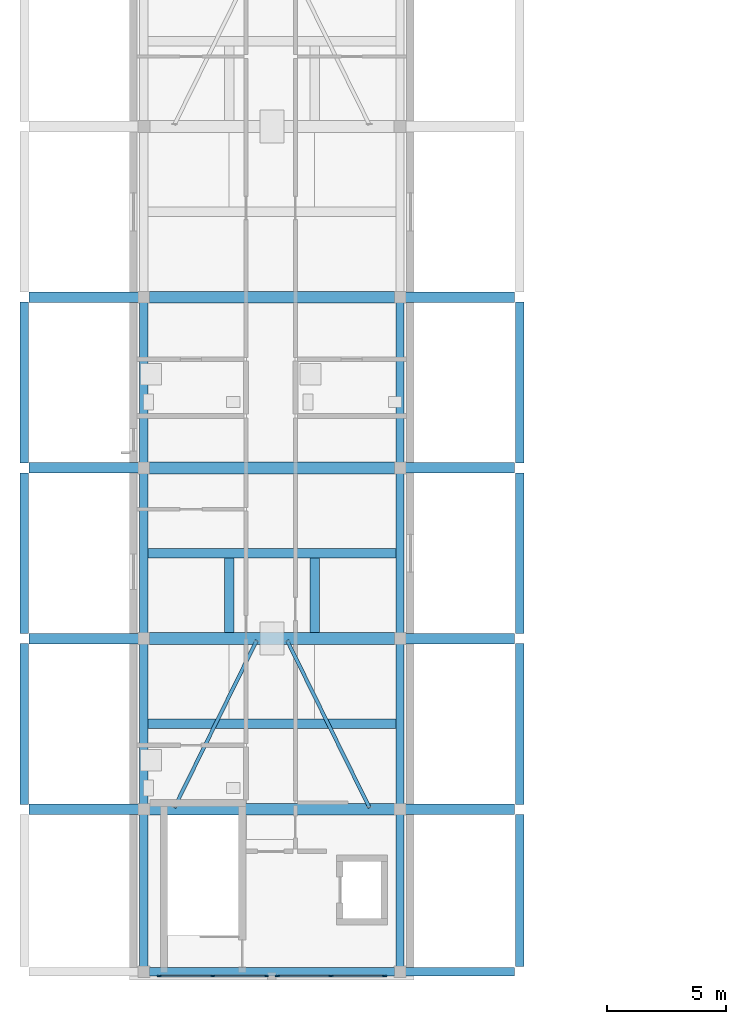
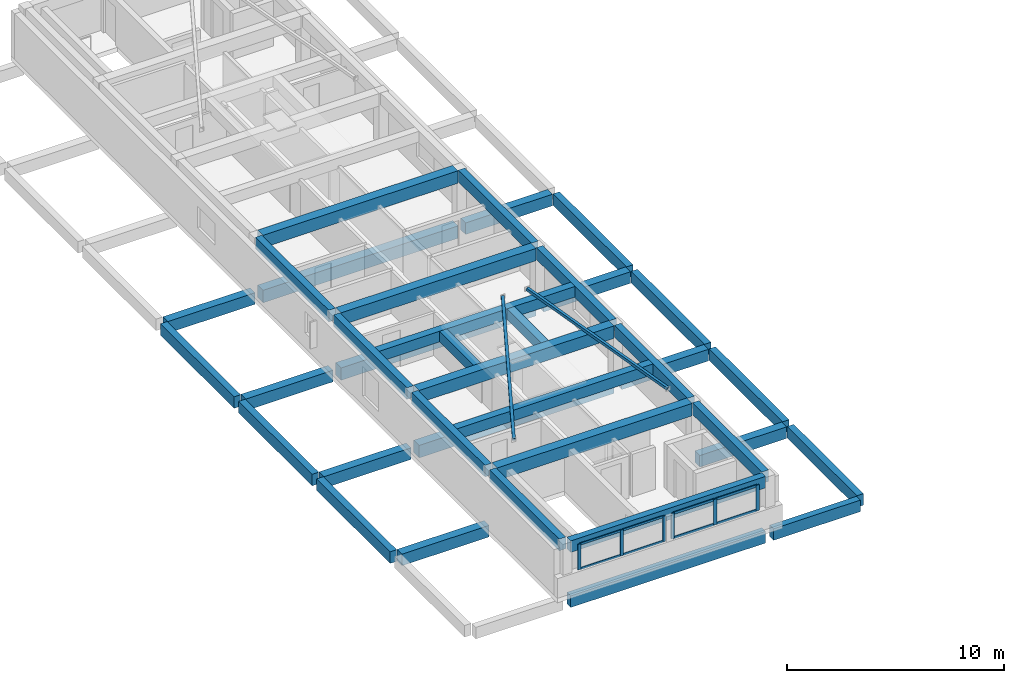
# One storey, part 2 of 9: 37 beams, 16 members, 2 elements without a shape of their own.
"""IFC4 building model written with IfcOpenShell, lengths in metres."""

import ifcopenshell
import ifcopenshell.guid

model = None  # the IFC model being written
_history = None  # IfcOwnerHistory: only IFC2X3 demands one
_inside = {}  # id of a spatial element -> (the spatial element, [elements in it])
_under = {}  # id of a project, library or spatial element -> (it, [spatial elements below it])
_declared = {}  # id of a project -> (the project, [libraries it declares])
_typed = {}  # id of a type object -> (the type object, [elements of that type])
_made_of = {}  # id of a material, layer set ... -> (it, [elements and type objects made of it])


def new_model(schema):
    """Start an empty IFC model of exactly this schema.

    Asked for "IFC4X3", IfcOpenShell would pick the latest addendum, in which some entities
    have other attributes; the version numbers below select the first issue.
    IFC2X3 requires an IfcOwnerHistory on every rooted entity: one is made here for all.
    """
    global model, _history
    if schema == "IFC4X3":
        model = ifcopenshell.file(schema_version=(4, 3, 0, 0))
    else:
        model = ifcopenshell.file(schema=schema)
    _inside.clear()
    _under.clear()
    _declared.clear()
    _typed.clear()
    _made_of.clear()
    _history = None
    if model.schema == "IFC2X3":
        org = make("IfcOrganization", Name="unknown")
        user = make(
            "IfcPersonAndOrganization",
            ThePerson=make("IfcPerson", FamilyName="unknown"),
            TheOrganization=org,
        )
        app = make(
            "IfcApplication",
            ApplicationDeveloper=org,
            Version="unknown",
            ApplicationFullName="unknown",
            ApplicationIdentifier="unknown",
        )
        _history = make(
            "IfcOwnerHistory",
            OwningUser=user,
            OwningApplication=app,
            ChangeAction="ADDED",
            CreationDate=0,
        )
    return model


def make(cls, **values):
    """One entity of the class cls with the attributes given. An attribute that is None is left unset."""
    return model.create_entity(
        cls, **{name: value for name, value in values.items() if value is not None}
    )


def rooted(cls, **values):
    """An entity with a GlobalId (a new one), such as an element, a storey or a relation."""
    return make(cls, GlobalId=ifcopenshell.guid.new(), OwnerHistory=_history, **values)


def si_unit(unit_type, name, prefix=None):
    """IfcSIUnit, for example si_unit("LENGTHUNIT", "METRE", prefix="MILLI")."""
    return make("IfcSIUnit", UnitType=unit_type, Prefix=prefix, Name=name)


def derived_unit(unit_type, elements):
    """IfcDerivedUnit: a product of units, each with its exponent."""
    return make(
        "IfcDerivedUnit",
        Elements=[
            make("IfcDerivedUnitElement", Unit=unit, Exponent=power)
            for unit, power in elements
        ],
        UnitType=unit_type,
    )


def assignment(units):
    """IfcUnitAssignment: the units of a project."""
    return None if units is None else make("IfcUnitAssignment", Units=units)


def point(xyz):
    """IfcCartesianPoint."""
    return None if xyz is None else make("IfcCartesianPoint", Coordinates=xyz)


def direction(xyz):
    """IfcDirection."""
    return None if xyz is None else make("IfcDirection", DirectionRatios=xyz)


def frame(location, z_axis=None, x_axis=None):
    """IfcAxis2Placement3D, a coordinate frame: its origin and axes. An axis left out is left unset."""
    return make(
        "IfcAxis2Placement3D",
        Location=point(location),
        Axis=direction(z_axis),
        RefDirection=direction(x_axis),
    )


def frame_2d(location, x_axis=None):
    """IfcAxis2Placement2D, a coordinate frame in the plane: its origin and x axis."""
    return make(
        "IfcAxis2Placement2D", Location=point(location), RefDirection=direction(x_axis)
    )


def origin():
    """The frame at (0, 0, 0) with its axes left unset."""
    return frame((0.0, 0.0, 0.0))


def origin_2d():
    """The frame at (0, 0) in the plane with its x axis left unset."""
    return frame_2d((0.0, 0.0))


def place(relative_to, where):
    """IfcLocalPlacement: puts the frame where relative to a parent placement (None: the world)."""
    return make(
        "IfcLocalPlacement", PlacementRelTo=relative_to, RelativePlacement=where
    )


def context(
    kind, dimensions, precision=None, world=None, true_north=None, identifier=None
):
    """IfcGeometricRepresentationContext, for example the 3D "Model" context."""
    return make(
        "IfcGeometricRepresentationContext",
        ContextIdentifier=identifier,
        ContextType=kind,
        CoordinateSpaceDimension=dimensions,
        Precision=precision,
        WorldCoordinateSystem=world,
        TrueNorth=true_north,
    )


def subcontext(parent, identifier, kind, view, scale=None):
    """IfcGeometricRepresentationSubContext, for example "Body" below "Model"."""
    return make(
        "IfcGeometricRepresentationSubContext",
        ContextIdentifier=identifier,
        ContextType=kind,
        ParentContext=parent,
        TargetScale=scale,
        TargetView=view,
    )


def project(units=None, contexts=None):
    """IfcProject with its units and contexts."""
    return rooted(
        "IfcProject",
        Name="project",
        RepresentationContexts=contexts,
        UnitsInContext=assignment(units),
    )


def spatial(cls, under=None, at=None, **own):
    """A site, building, storey or space (cls), placed at a placement, below another one or the project."""
    s = rooted(cls, ObjectPlacement=at, **own)
    if under is not None:
        _under.setdefault(under.id(), (under, []))[1].append(s)
    return s


def profile(cls, at=None, kind="AREA", **sizes):
    """A parametric profile (cls). Its sizes go by their IFC names, for example OverallWidth=200.0."""
    return make(cls, ProfileType=kind, Position=at, **sizes)


def rectangle(**sizes):
    """IfcRectangleProfileDef."""
    return profile("IfcRectangleProfileDef", **sizes)


def hollow_rectangle(**sizes):
    """IfcRectangleHollowProfileDef."""
    return profile("IfcRectangleHollowProfileDef", **sizes)


def extrude(swept, where, along, depth):
    """IfcExtrudedAreaSolid: the profile swept, set in the frame where, extruded along a direction by depth."""
    return make(
        "IfcExtrudedAreaSolid",
        SweptArea=swept,
        Position=where,
        ExtrudedDirection=direction(along),
        Depth=depth,
    )


def shape(context_of_items, identifier, shape_type, items):
    """IfcShapeRepresentation: the items that make up one representation, for example the "Body"."""
    return make(
        "IfcShapeRepresentation",
        ContextOfItems=context_of_items,
        RepresentationIdentifier=identifier,
        RepresentationType=shape_type,
        Items=items,
    )


def material(Name=None, Category=None):
    """IfcMaterial."""
    return make("IfcMaterial", Name=Name, Category=Category)


def layer(
    of_material, thickness, ventilated=None, Name=None, Category=None, Priority=None
):
    """IfcMaterialLayer: one layer of a wall or slab, of a material (None: an air gap)."""
    return make(
        "IfcMaterialLayer",
        Material=of_material,
        LayerThickness=thickness,
        IsVentilated=ventilated,
        Name=Name,
        Category=Category,
        Priority=Priority,
    )


def layer_set(layers, Name=None):
    """IfcMaterialLayerSet."""
    return make("IfcMaterialLayerSet", MaterialLayers=layers, LayerSetName=Name)


def material_profile(
    of_material, cross_section, Name=None, Category=None, Priority=None
):
    """IfcMaterialProfile: a cross section and its material."""
    return make(
        "IfcMaterialProfile",
        Name=Name,
        Material=of_material,
        Profile=cross_section,
        Priority=Priority,
        Category=Category,
    )


def profile_set(profiles, Name=None, composite=None):
    """IfcMaterialProfileSet."""
    return make(
        "IfcMaterialProfileSet",
        Name=Name,
        MaterialProfiles=profiles,
        CompositeProfile=composite,
    )


def made_of(thing, what):
    """Note that an element or type object is made of a material, layer set ...; save() writes the relation."""
    if what is not None:
        _made_of.setdefault(what.id(), (what, []))[1].append(thing)
    return thing


def type_object(cls, material=None, **own):
    """A type object (cls), such as IfcWallType, which elements share."""
    return made_of(rooted(cls, **own), material)


def element(
    cls,
    number,
    at=None,
    inside=None,
    cuts=None,
    type_object=None,
    material=None,
    context=None,
    identifier="Body",
    shape_type=None,
    held_by="IfcProductDefinitionShape",
    body=None,
    shapes=None,
    **own,
):
    """One element of the class cls, such as IfcWall. Its Tag is "e" and its number.

    at: its placement. inside: the storey or other place that contains it. cuts: it is an
    opening in that element (IfcRelVoidsElement). A single representation is given by context,
    identifier, shape_type and body (its items); several are given by shapes. held_by: the class
    of the entity that holds the representations. save() writes the other relations.
    """
    e = rooted(cls, Tag="e%d" % number, ObjectPlacement=at, **own)
    if body is not None:
        shapes = [shape(context, identifier, shape_type, body)]
    if shapes is not None:
        e.Representation = make(held_by, Representations=shapes)
    if inside is not None:
        _inside.setdefault(inside.id(), (inside, []))[1].append(e)
    if cuts is not None:
        rooted(
            "IfcRelVoidsElement", RelatingBuildingElement=cuts, RelatedOpeningElement=e
        )
    if type_object is not None:
        _typed.setdefault(type_object.id(), (type_object, []))[1].append(e)
    return made_of(e, material)


def aggregate(whole, parts):
    """IfcRelAggregates: a whole, such as a stair, and the parts it consists of."""
    return rooted("IfcRelAggregates", RelatingObject=whole, RelatedObjects=parts)


def save(model, path):
    """Write the relations noted so far, then the file.

    IfcRelAggregates (storeys below a building ...), IfcRelContainedInSpatialStructure (elements
    in a storey), IfcRelDefinesByType, IfcRelAssociatesMaterial and IfcRelDeclares: one each for
    every whole, place, type object, material and project.
    """
    for whole, parts in _under.values():
        aggregate(whole, parts)
    for where, things in _inside.values():
        rooted(
            "IfcRelContainedInSpatialStructure",
            RelatedElements=things,
            RelatingStructure=where,
        )
    for kind, things in _typed.values():
        rooted("IfcRelDefinesByType", RelatedObjects=things, RelatingType=kind)
    for what, things in _made_of.values():
        rooted("IfcRelAssociatesMaterial", RelatedObjects=things, RelatingMaterial=what)
    for by, libraries in _declared.values():
        rooted("IfcRelDeclares", RelatingContext=by, RelatedDefinitions=libraries)
    model.write(path)


model = new_model("IFC4")

# Units and contexts
model_context = context("Model", 3, precision=1e-05, world=origin(), true_north=direction((0.0, 1.0)))
body_context = subcontext(model_context, "Body", "Model", "MODEL_VIEW")
ifc_project = project(units=[si_unit("LENGTHUNIT", "METRE"), si_unit("AREAUNIT", "SQUARE_METRE"), si_unit("VOLUMEUNIT", "CUBIC_METRE"), si_unit("PLANEANGLEUNIT", "RADIAN"), si_unit("MASSUNIT", "GRAM", prefix="KILO"), derived_unit("THERMALTRANSMITTANCEUNIT", [(si_unit("MASSUNIT", "GRAM", prefix="KILO"), 1), (si_unit("TIMEUNIT", "SECOND"), -3), (si_unit("THERMODYNAMICTEMPERATUREUNIT", "KELVIN"), -1)])], contexts=[model_context])

# Site, building, storey
site_placement = place(None, origin())
site = spatial("IfcSite", under=ifc_project, at=site_placement, CompositionType="ELEMENT")
building_placement = place(site_placement, origin())
building = spatial("IfcBuilding", under=site, at=building_placement, Name="Ochrekiln Boulevard Commons", CompositionType="ELEMENT")
storey_placement = place(building_placement, frame((0.0, 0.0, 46.72509765625)))
storey = spatial("IfcBuildingStorey", under=building, at=storey_placement, Name="L14", CompositionType="ELEMENT", Elevation=46.72509765625)

# Beams
ifc_material_1 = material(Name="Concrete C35/45", Category="concrete")
ifc_material_profile_1 = material_profile(ifc_material_1, rectangle(XDim=0.39990234375, YDim=0.60009765625, at=origin_2d()), Name="RC-BM-400x600")
ifc_profile_set_1 = profile_set([ifc_material_profile_1], Name="Concrete C35/45")
beam_type_1 = type_object("IfcBeamType", Name="BM-RC-400x600", PredefinedType="BEAM", material=ifc_profile_set_1)
for number, where, z_axis, x_axis, name in (
    (1, (5.574951171875, 79.199951171875, 2.5498046875), (1.0, 0.0, 0.0), (0.0, 1.0, 0.0), "Block A L14 Attic Platform Transverse Beam B-4060 (1.1)"),
    (2, (5.574951171875, 86.39990234375, 2.5498046875), (1.0, 0.0, 0.0), (0.0, 1.0, 0.0), "Block A L14 Attic Platform Transverse Beam B-4060 (1.2)"),
):
    element("IfcBeam", number, at=place(storey_placement, frame(where, z_axis=z_axis, x_axis=x_axis)), inside=storey, type_object=beam_type_1, Name=name, PredefinedType="BEAM", context=body_context, shape_type="SweptSolid", body=[
        extrude(rectangle(XDim=0.39990234375, YDim=0.60009765625, at=origin_2d()), origin(), (0.0, 0.0, 1.0), 10.449951171875),
    ])
for number, where, z_axis, x_axis, name in (
    (3, (9.0, 83.050048828125, 2.5498046875), (0.0, 1.0, 0.0), (-1.0, 0.0, 0.0), "Block A L14 Attic Platform Trimmer Beam B-4060 (1.W)"),
    (4, (12.60009765625, 83.050048828125, 2.5498046875), (0.0, 1.0, 0.0), (-1.0, 0.0, 0.0), "Block A L14 Attic Platform Trimmer Beam B-4060 (1.E)"),
):
    element("IfcBeam", number, at=place(storey_placement, frame(where, z_axis=z_axis, x_axis=x_axis)), inside=storey, type_object=beam_type_1, Name=name, PredefinedType="BEAM", context=body_context, shape_type="SweptSolid", body=[
        extrude(rectangle(XDim=0.39990234375, YDim=0.60009765625, at=origin_2d()), origin(), (0.0, 0.0, 1.0), 3.14990234375),
    ])
ifc_material_profile_2 = material_profile(ifc_material_1, rectangle(XDim=0.449951171875, YDim=0.64990234375, at=origin_2d()), Name="RC-BM-450x650")
ifc_profile_set_2 = profile_set([ifc_material_profile_2], Name="Concrete C35/45")
beam_type_2 = type_object("IfcBeamType", Name="BM-RC-450x650", PredefinedType="BEAM", material=ifc_profile_set_2)
beam_1_placement = place(storey_placement, frame((0.56005859375, 75.60009765625, -0.5751953125), z_axis=(1.0, 0.0, 0.0), x_axis=(0.0, 1.0, 0.0)))
element("IfcBeam", 5, at=beam_1_placement, inside=storey, type_object=beam_type_2, Name="Block A L14 Beam B-4565 X4", PredefinedType="BEAM", context=body_context, shape_type="SweptSolid", body=[
    extrude(rectangle(XDim=0.449951171875, YDim=0.64990234375, at=origin_2d()), origin(), (0.0, 0.0, 1.0), 4.6298828125),
])
beam_2_placement = place(storey_placement, frame((16.409912109375, 75.60009765625, -0.5751953125), z_axis=(1.0, 0.0, 0.0), x_axis=(0.0, 1.0, 0.0)))
element("IfcBeam", 6, at=beam_2_placement, inside=storey, type_object=beam_type_2, Name="Block A L14 Beam B-4565 X5", PredefinedType="BEAM", context=body_context, shape_type="SweptSolid", body=[
    extrude(rectangle(XDim=0.449951171875, YDim=0.64990234375, at=origin_2d()), origin(), (0.0, 0.0, 1.0), 4.630126953125),
])
beam_3_placement = place(storey_placement, frame((0.56005859375, 82.800048828125, -0.5751953125), z_axis=(1.0, 0.0, 0.0), x_axis=(0.0, 1.0, 0.0)))
element("IfcBeam", 7, at=beam_3_placement, inside=storey, type_object=beam_type_2, Name="Block A L14 Beam B-4565 X6", PredefinedType="BEAM", context=body_context, shape_type="SweptSolid", body=[
    extrude(rectangle(XDim=0.449951171875, YDim=0.64990234375, at=origin_2d()), origin(), (0.0, 0.0, 1.0), 4.6298828125),
])
beam_4_placement = place(storey_placement, frame((16.409912109375, 82.800048828125, -0.5751953125), z_axis=(1.0, 0.0, 0.0), x_axis=(0.0, 1.0, 0.0)))
element("IfcBeam", 8, at=beam_4_placement, inside=storey, type_object=beam_type_2, Name="Block A L14 Beam B-4565 X8", PredefinedType="BEAM", context=body_context, shape_type="SweptSolid", body=[
    extrude(rectangle(XDim=0.449951171875, YDim=0.64990234375, at=origin_2d()), origin(), (0.0, 0.0, 1.0), 4.630126953125),
])
beam_5_placement = place(storey_placement, frame((0.56005859375, 90.0, -0.5751953125), z_axis=(1.0, 0.0, 0.0), x_axis=(0.0, 1.0, 0.0)))
element("IfcBeam", 9, at=beam_5_placement, inside=storey, type_object=beam_type_2, Name="Block A L14 Beam B-4565 X9", PredefinedType="BEAM", context=body_context, shape_type="SweptSolid", body=[
    extrude(rectangle(XDim=0.449951171875, YDim=0.64990234375, at=origin_2d()), origin(), (0.0, 0.0, 1.0), 4.6298828125),
])
beam_6_placement = place(storey_placement, frame((16.409912109375, 90.0, -0.5751953125), z_axis=(1.0, 0.0, 0.0), x_axis=(0.0, 1.0, 0.0)))
element("IfcBeam", 10, at=beam_6_placement, inside=storey, type_object=beam_type_2, Name="Block A L14 Beam B-4565 X11", PredefinedType="BEAM", context=body_context, shape_type="SweptSolid", body=[
    extrude(rectangle(XDim=0.449951171875, YDim=0.64990234375, at=origin_2d()), origin(), (0.0, 0.0, 1.0), 4.630126953125),
])
beam_7_placement = place(storey_placement, frame((0.56005859375, 97.199951171875, -0.5751953125), z_axis=(1.0, 0.0, 0.0), x_axis=(0.0, 1.0, 0.0)))
element("IfcBeam", 11, at=beam_7_placement, inside=storey, type_object=beam_type_2, Name="Block A L14 Beam B-4565 X12", PredefinedType="BEAM", context=body_context, shape_type="SweptSolid", body=[
    extrude(rectangle(XDim=0.449951171875, YDim=0.64990234375, at=origin_2d()), origin(), (0.0, 0.0, 1.0), 4.6298828125),
])
beam_8_placement = place(storey_placement, frame((16.409912109375, 97.199951171875, -0.5751953125), z_axis=(1.0, 0.0, 0.0), x_axis=(0.0, 1.0, 0.0)))
element("IfcBeam", 12, at=beam_8_placement, inside=storey, type_object=beam_type_2, Name="Block A L14 Beam B-4565 X14", PredefinedType="BEAM", context=body_context, shape_type="SweptSolid", body=[
    extrude(rectangle(XDim=0.449951171875, YDim=0.64990234375, at=origin_2d()), origin(), (0.0, 0.0, 1.0), 4.630126953125),
])
ifc_material_2 = material(Name="Concrete C40/50", Category="concrete")
ifc_material_profile_3 = material_profile(ifc_material_2, rectangle(XDim=0.5, YDim=0.699951171875, at=origin_2d()), Name="RC-BM-500x700")
ifc_profile_set_3 = profile_set([ifc_material_profile_3], Name="Concrete C40/50")
beam_type_3 = type_object("IfcBeamType", Name="BM-RC-500x700", PredefinedType="BEAM", material=ifc_profile_set_3)
for number, where, z_axis, x_axis, name in (
    (13, (5.610107421875, 82.800048828125, -0.60009765625), (1.0, 0.0, 0.0), (0.0, 1.0, 0.0), "Block A L14 Beam B-5070 X7"),
    (14, (5.610107421875, 90.0, -0.60009765625), (1.0, 0.0, 0.0), (0.0, 1.0, 0.0), "Block A L14 Beam B-5070 X10"),
    (15, (5.610107421875, 97.199951171875, -0.60009765625), (1.0, 0.0, 0.0), (0.0, 1.0, 0.0), "Block A L14 Beam B-5070 X13"),
    (16, (5.610107421875, 75.60009765625, 2.5), (1.0, 0.0, 0.0), (0.0, 1.0, 0.0), "Block A L14 Beam B-5070 X2"),
    (17, (5.610107421875, 82.800048828125, 2.5), (1.0, 0.0, 0.0), (0.0, 1.0, 0.0), "Block A L14 Beam B-5070 X3"),
    (18, (5.610107421875, 90.0, 2.5), (1.0, 0.0, 0.0), (0.0, 1.0, 0.0), "Block A L14 Beam B-5070 X4"),
    (19, (5.610107421875, 97.199951171875, 2.5), (1.0, 0.0, 0.0), (0.0, 1.0, 0.0), "Block A L14 Beam B-5070 X5"),
):
    element("IfcBeam", number, at=place(storey_placement, frame(where, z_axis=z_axis, x_axis=x_axis)), inside=storey, type_object=beam_type_3, Name=name, PredefinedType="BEAM", context=body_context, shape_type="SweptSolid", body=[
        extrude(rectangle(XDim=0.5, YDim=0.699951171875, at=origin_2d()), origin(), (0.0, 0.0, 1.0), 10.3798828125),
    ])

# Curtain wall, members
ifc_material_3 = material(Name="Bronze-anodized extruded aluminium 6063-T6", Category="aluminium")
ifc_layer = layer(ifc_material_3, 0.172119140625)
ifc_layer_set = layer_set([ifc_layer], Name="Bronze-anodized extruded aluminium 6063-T6")
curtain_wall_type = type_object("IfcCurtainWallType", Name="CW-GABLE-A", PredefinedType="USERDEFINED", material=ifc_layer_set)
curtain_wall_1_placement = place(storey_placement, origin())
curtain_wall_1 = element("IfcCurtainWall", 20, at=curtain_wall_1_placement, inside=storey, type_object=curtain_wall_type, Name="Block A L14 Courtyard Glazed Gable Curtain Wall 1", ObjectType="GLAZED CURTAIN WALL", PredefinedType="USERDEFINED")
ifc_material_profile_4 = material_profile(ifc_material_3, rectangle(XDim=0.06005859375, YDim=0.159912109375, at=origin_2d()), Name="ALU-MUL-60x160")
ifc_profile_set_4 = profile_set([ifc_material_profile_4], Name="Bronze-anodized extruded aluminium 6063-T6")
member_type_1 = type_object("IfcMemberType", Name="CWM-60x160", PredefinedType="MULLION", material=ifc_profile_set_4)
member_1_placement = place(storey_placement, frame((6.050048828125, 68.56005859375, 1.10986328125), z_axis=(0.0, 0.0, 1.0), x_axis=(0.0, 1.0, 0.0)))
member_1 = element("IfcMember", 21, at=member_1_placement, type_object=member_type_1, Name="CW-01 mullion 1", PredefinedType="MULLION", context=body_context, shape_type="SweptSolid", body=[
    extrude(rectangle(XDim=0.06005859375, YDim=0.159912109375, at=origin_2d()), origin(), (0.0, 0.0, 1.0), 1.43994140625),
])
member_2_placement = place(storey_placement, frame((8.31005859375, 68.56005859375, 1.10986328125), z_axis=(0.0, 0.0, 1.0), x_axis=(0.0, 1.0, 0.0)))
member_2 = element("IfcMember", 22, at=member_2_placement, type_object=member_type_1, Name="CW-01 mullion 2", PredefinedType="MULLION", context=body_context, shape_type="SweptSolid", body=[
    extrude(rectangle(XDim=0.06005859375, YDim=0.159912109375, at=origin_2d()), origin(), (0.0, 0.0, 1.0), 1.43994140625),
])
member_3_placement = place(storey_placement, frame((10.570068359375, 68.56005859375, 1.10986328125), z_axis=(0.0, 0.0, 1.0), x_axis=(0.0, 1.0, 0.0)))
member_3 = element("IfcMember", 23, at=member_3_placement, type_object=member_type_1, Name="CW-01 mullion 3", PredefinedType="MULLION", context=body_context, shape_type="SweptSolid", body=[
    extrude(rectangle(XDim=0.06005859375, YDim=0.159912109375, at=origin_2d()), origin(), (0.0, 0.0, 1.0), 1.43994140625),
])

curtain_wall_2_placement = place(storey_placement, origin())
curtain_wall_2 = element("IfcCurtainWall", 24, at=curtain_wall_2_placement, inside=storey, type_object=curtain_wall_type, Name="Block A L14 Courtyard Glazed Gable Curtain Wall 2", ObjectType="GLAZED CURTAIN WALL", PredefinedType="USERDEFINED")
ifc_material_profile_5 = material_profile(ifc_material_3, rectangle(XDim=0.06494140625, YDim=0.179931640625, at=origin_2d()), Name="ALU-MUL-65x180")
ifc_profile_set_5 = profile_set([ifc_material_profile_5], Name="Bronze-anodized extruded aluminium 6063-T6")
member_type_2 = type_object("IfcMemberType", Name="CWM-65x180", PredefinedType="MULLION", material=ifc_profile_set_5)
member_4_placement = place(storey_placement, frame((11.032470703125, 68.56005859375, 1.10986328125), z_axis=(0.0, 0.0, 1.0), x_axis=(0.0, 1.0, 0.0)))
member_4 = element("IfcMember", 25, at=member_4_placement, type_object=member_type_2, Name="CW-01 mullion 1", PredefinedType="MULLION", context=body_context, shape_type="SweptSolid", body=[
    extrude(rectangle(XDim=0.06494140625, YDim=0.179931640625, at=origin_2d()), origin(), (0.0, 0.0, 1.0), 1.43994140625),
])
member_5_placement = place(storey_placement, frame((13.2900390625, 68.56005859375, 1.10986328125), z_axis=(0.0, 0.0, 1.0), x_axis=(0.0, 1.0, 0.0)))
member_5 = element("IfcMember", 26, at=member_5_placement, type_object=member_type_2, Name="CW-01 mullion 2", PredefinedType="MULLION", context=body_context, shape_type="SweptSolid", body=[
    extrude(rectangle(XDim=0.06494140625, YDim=0.179931640625, at=origin_2d()), origin(), (0.0, 0.0, 1.0), 1.43994140625),
])
member_6_placement = place(storey_placement, frame((15.547607421875, 68.56005859375, 1.10986328125), z_axis=(0.0, 0.0, 1.0), x_axis=(0.0, 1.0, 0.0)))
member_6 = element("IfcMember", 27, at=member_6_placement, type_object=member_type_2, Name="CW-01 mullion 3", PredefinedType="MULLION", context=body_context, shape_type="SweptSolid", body=[
    extrude(rectangle(XDim=0.06494140625, YDim=0.179931640625, at=origin_2d()), origin(), (0.0, 0.0, 1.0), 1.43994140625),
])

# Member
ifc_material_profile_6 = material_profile(ifc_material_3, rectangle(XDim=0.06005859375, YDim=0.1201171875, at=origin_2d()), Name="ALU-TRN-60x120")
ifc_profile_set_6 = profile_set([ifc_material_profile_6], Name="Bronze-anodized extruded aluminium 6063-T6")
member_type_3 = type_object("IfcMemberType", Name="CWT-60x120", PredefinedType="USERDEFINED", material=ifc_profile_set_6)
member_7_placement = place(storey_placement, frame((6.080078125, 68.56005859375, 1.139892578125), z_axis=(1.0, 0.0, 0.0), x_axis=(0.0, 1.0, 0.0)))
member_7 = element("IfcMember", 28, at=member_7_placement, type_object=member_type_3, Name="CW-01 transom 1.1", ObjectType="TRANSOM", PredefinedType="USERDEFINED", context=body_context, shape_type="SweptSolid", body=[
    extrude(rectangle(XDim=0.06005859375, YDim=0.1201171875, at=origin_2d()), origin(), (0.0, 0.0, 1.0), 2.199951171875),
])

member_8_placement = place(storey_placement, frame((6.080078125, 68.56005859375, 2.52001953125), z_axis=(1.0, 0.0, 0.0), x_axis=(0.0, 1.0, 0.0)))
member_8 = element("IfcMember", 29, at=member_8_placement, type_object=member_type_3, Name="CW-01 transom 1.2", ObjectType="TRANSOM", PredefinedType="USERDEFINED", context=body_context, shape_type="SweptSolid", body=[
    extrude(rectangle(XDim=0.06005859375, YDim=0.1201171875, at=origin_2d()), origin(), (0.0, 0.0, 1.0), 2.199951171875),
])

member_9_placement = place(storey_placement, frame((8.340087890625, 68.56005859375, 1.139892578125), z_axis=(1.0, 0.0, 0.0), x_axis=(0.0, 1.0, 0.0)))
member_9 = element("IfcMember", 30, at=member_9_placement, type_object=member_type_3, Name="CW-01 transom 2.1", ObjectType="TRANSOM", PredefinedType="USERDEFINED", context=body_context, shape_type="SweptSolid", body=[
    extrude(rectangle(XDim=0.06005859375, YDim=0.1201171875, at=origin_2d()), origin(), (0.0, 0.0, 1.0), 2.199951171875),
])

member_10_placement = place(storey_placement, frame((8.340087890625, 68.56005859375, 2.52001953125), z_axis=(1.0, 0.0, 0.0), x_axis=(0.0, 1.0, 0.0)))
member_10 = element("IfcMember", 31, at=member_10_placement, type_object=member_type_3, Name="CW-01 transom 2.2", ObjectType="TRANSOM", PredefinedType="USERDEFINED", context=body_context, shape_type="SweptSolid", body=[
    extrude(rectangle(XDim=0.06005859375, YDim=0.1201171875, at=origin_2d()), origin(), (0.0, 0.0, 1.0), 2.199951171875),
])

aggregate(curtain_wall_1, [member_1, member_2, member_3, member_7, member_8, member_9, member_10])

ifc_material_profile_7 = material_profile(ifc_material_3, rectangle(XDim=0.06494140625, YDim=0.139892578125, at=origin_2d()), Name="ALU-TRN-65x140")
ifc_profile_set_7 = profile_set([ifc_material_profile_7], Name="Bronze-anodized extruded aluminium 6063-T6")
member_type_4 = type_object("IfcMemberType", Name="CWT-65x140", PredefinedType="USERDEFINED", material=ifc_profile_set_7)
member_11_placement = place(storey_placement, frame((11.06494140625, 68.56005859375, 1.142333984375), z_axis=(1.0, 0.0, 0.0), x_axis=(0.0, 1.0, 0.0)))
member_11 = element("IfcMember", 32, at=member_11_placement, type_object=member_type_4, Name="CW-01 transom 1.1", ObjectType="TRANSOM", PredefinedType="USERDEFINED", context=body_context, shape_type="SweptSolid", body=[
    extrude(rectangle(XDim=0.06494140625, YDim=0.139892578125, at=origin_2d()), origin(), (0.0, 0.0, 1.0), 2.192626953125),
])

member_12_placement = place(storey_placement, frame((11.06494140625, 68.56005859375, 2.517333984375), z_axis=(1.0, 0.0, 0.0), x_axis=(0.0, 1.0, 0.0)))
member_12 = element("IfcMember", 33, at=member_12_placement, type_object=member_type_4, Name="CW-01 transom 1.2", ObjectType="TRANSOM", PredefinedType="USERDEFINED", context=body_context, shape_type="SweptSolid", body=[
    extrude(rectangle(XDim=0.06494140625, YDim=0.139892578125, at=origin_2d()), origin(), (0.0, 0.0, 1.0), 2.192626953125),
])

member_13_placement = place(storey_placement, frame((13.322509765625, 68.56005859375, 1.142333984375), z_axis=(1.0, 0.0, 0.0), x_axis=(0.0, 1.0, 0.0)))
member_13 = element("IfcMember", 34, at=member_13_placement, type_object=member_type_4, Name="CW-01 transom 2.1", ObjectType="TRANSOM", PredefinedType="USERDEFINED", context=body_context, shape_type="SweptSolid", body=[
    extrude(rectangle(XDim=0.06494140625, YDim=0.139892578125, at=origin_2d()), origin(), (0.0, 0.0, 1.0), 2.1923828125),
])

member_14_placement = place(storey_placement, frame((13.322509765625, 68.56005859375, 2.517333984375), z_axis=(1.0, 0.0, 0.0), x_axis=(0.0, 1.0, 0.0)))
member_14 = element("IfcMember", 35, at=member_14_placement, type_object=member_type_4, Name="CW-01 transom 2.2", ObjectType="TRANSOM", PredefinedType="USERDEFINED", context=body_context, shape_type="SweptSolid", body=[
    extrude(rectangle(XDim=0.06494140625, YDim=0.139892578125, at=origin_2d()), origin(), (0.0, 0.0, 1.0), 2.1923828125),
])

aggregate(curtain_wall_2, [member_4, member_5, member_6, member_11, member_12, member_13, member_14])

# Members
ifc_material_4 = material(Name="Steel A500 Grade C", Category="steel")
ifc_material_profile_8 = material_profile(ifc_material_4, hollow_rectangle(XDim=0.14990234375, YDim=0.14990234375, WallThickness=0.009521484375, at=origin_2d()), Name="HSS150X150X9.5")
ifc_profile_set_8 = profile_set([ifc_material_profile_8], Name="Steel A500 Grade C")
member_type_5 = type_object("IfcMemberType", Name="MEM-BRC-HSS150", PredefinedType="BRACE", material=ifc_profile_set_8)
for number, where, z_axis, x_axis, name in (
    (36, (6.696044921875, 75.68994140625, 3.856201171875), (0.41928190663, 0.85165526584, 0.314461429972), (-0.897168393426, 0.441688661659, 0.0), "Block A Roof Diagonal Brace 2W"),
    (37, (14.904052734375, 75.68994140625, 3.856201171875), (-0.41928190663, 0.85165526584, 0.314461429972), (-0.897168393426, -0.441688661659, 0.0), "Block A Roof Diagonal Brace 2E"),
):
    element("IfcMember", number, at=place(storey_placement, frame(where, z_axis=z_axis, x_axis=x_axis)), inside=storey, type_object=member_type_5, Name=name, PredefinedType="BRACE", context=body_context, shape_type="SweptSolid", body=[
        extrude(hollow_rectangle(XDim=0.14990234375, YDim=0.14990234375, WallThickness=0.009521484375, at=origin_2d()), origin(), (0.0, 0.0, 1.0), 8.24267578125),
    ])

# Beams
ifc_material_profile_9 = material_profile(ifc_material_2, rectangle(XDim=0.35009765625, YDim=0.64990234375, at=origin_2d()), Name="RC-SPN-350x650")
ifc_profile_set_9 = profile_set([ifc_material_profile_9], Name="Concrete C40/50")
beam_type_4 = type_object("IfcBeamType", Name="SPN-RC-350x650", PredefinedType="SPANDREL", material=ifc_profile_set_9)
beam_9_placement = place(storey_placement, frame((5.610107421875, 68.75, -0.5751953125), z_axis=(1.0, 0.0, 0.0), x_axis=(0.0, 1.0, 0.0)))
element("IfcBeam", 38, at=beam_9_placement, inside=storey, type_object=beam_type_4, Name="Block A L14 Beam SP-3565 X2", PredefinedType="SPANDREL", context=body_context, shape_type="SweptSolid", body=[
    extrude(rectangle(XDim=0.35009765625, YDim=0.64990234375, at=origin_2d()), origin(), (0.0, 0.0, 1.0), 10.3798828125),
])
beam_10_placement = place(storey_placement, frame((16.409912109375, 68.75, -0.5751953125), z_axis=(1.0, 0.0, 0.0), x_axis=(0.0, 1.0, 0.0)))
element("IfcBeam", 39, at=beam_10_placement, inside=storey, type_object=beam_type_4, Name="Block A L14 Beam SP-3565 X3", PredefinedType="SPANDREL", context=body_context, shape_type="SweptSolid", body=[
    extrude(rectangle(XDim=0.35009765625, YDim=0.64990234375, at=origin_2d()), origin(), (0.0, 0.0, 1.0), 4.630126953125),
])
for number, where, z_axis, x_axis, name in (
    (40, (0.35009765625, 75.81005859375, -0.5751953125), (0.0, 1.0, 0.0), (-1.0, 0.0, 0.0), "Block A L14 Beam SP-3565 Y24"),
    (41, (0.35009765625, 83.010009765625, -0.5751953125), (0.0, 1.0, 0.0), (-1.0, 0.0, 0.0), "Block A L14 Beam SP-3565 Y25"),
    (42, (0.35009765625, 90.2099609375, -0.5751953125), (0.0, 1.0, 0.0), (-1.0, 0.0, 0.0), "Block A L14 Beam SP-3565 Y26"),
):
    element("IfcBeam", number, at=place(storey_placement, frame(where, z_axis=z_axis, x_axis=x_axis)), inside=storey, type_object=beam_type_4, Name=name, PredefinedType="SPANDREL", context=body_context, shape_type="SweptSolid", body=[
        extrude(rectangle(XDim=0.35009765625, YDim=0.64990234375, at=origin_2d()), origin(), (0.0, 0.0, 1.0), 6.780029296875),
    ])
beam_11_placement = place(storey_placement, frame((21.25, 68.9599609375, -0.5751953125), z_axis=(0.0, 1.0, 0.0), x_axis=(-1.0, 0.0, 0.0)))
element("IfcBeam", 43, at=beam_11_placement, inside=storey, type_object=beam_type_4, Name="Block A L14 Beam SP-3565 Y30", PredefinedType="SPANDREL", context=body_context, shape_type="SweptSolid", body=[
    extrude(rectangle(XDim=0.35009765625, YDim=0.64990234375, at=origin_2d()), origin(), (0.0, 0.0, 1.0), 6.429931640625),
])
for number, where, z_axis, x_axis, name in (
    (44, (21.25, 75.81005859375, -0.5751953125), (0.0, 1.0, 0.0), (-1.0, 0.0, 0.0), "Block A L14 Beam SP-3565 Y31"),
    (45, (21.25, 83.010009765625, -0.5751953125), (0.0, 1.0, 0.0), (-1.0, 0.0, 0.0), "Block A L14 Beam SP-3565 Y32"),
    (46, (21.25, 90.2099609375, -0.5751953125), (0.0, 1.0, 0.0), (-1.0, 0.0, 0.0), "Block A L14 Beam SP-3565 Y33"),
):
    element("IfcBeam", number, at=place(storey_placement, frame(where, z_axis=z_axis, x_axis=x_axis)), inside=storey, type_object=beam_type_4, Name=name, PredefinedType="SPANDREL", context=body_context, shape_type="SweptSolid", body=[
        extrude(rectangle(XDim=0.35009765625, YDim=0.64990234375, at=origin_2d()), origin(), (0.0, 0.0, 1.0), 6.780029296875),
    ])
beam_12_placement = place(storey_placement, frame((5.610107421875, 68.75, 2.52490234375), z_axis=(1.0, 0.0, 0.0), x_axis=(0.0, 1.0, 0.0)))
element("IfcBeam", 47, at=beam_12_placement, inside=storey, type_object=beam_type_4, Name="Block A L14 Beam SP-3565 X1", PredefinedType="SPANDREL", context=body_context, shape_type="SweptSolid", body=[
    extrude(rectangle(XDim=0.35009765625, YDim=0.64990234375, at=origin_2d()), origin(), (0.0, 0.0, 1.0), 10.3798828125),
])
beam_13_placement = place(storey_placement, frame((5.39990234375, 68.9599609375, 2.52490234375), z_axis=(0.0, 1.0, 0.0), x_axis=(-1.0, 0.0, 0.0)))
element("IfcBeam", 48, at=beam_13_placement, inside=storey, type_object=beam_type_4, Name="Block A L14 Beam SP-3565 Y9", PredefinedType="SPANDREL", context=body_context, shape_type="SweptSolid", body=[
    extrude(rectangle(XDim=0.35009765625, YDim=0.64990234375, at=origin_2d()), origin(), (0.0, 0.0, 1.0), 6.429931640625),
])
for number, where, z_axis, x_axis, name in (
    (49, (5.39990234375, 75.81005859375, 2.52490234375), (0.0, 1.0, 0.0), (-1.0, 0.0, 0.0), "Block A L14 Beam SP-3565 Y10"),
    (50, (5.39990234375, 83.010009765625, 2.52490234375), (0.0, 1.0, 0.0), (-1.0, 0.0, 0.0), "Block A L14 Beam SP-3565 Y11"),
    (51, (5.39990234375, 90.2099609375, 2.52490234375), (0.0, 1.0, 0.0), (-1.0, 0.0, 0.0), "Block A L14 Beam SP-3565 Y12"),
):
    element("IfcBeam", number, at=place(storey_placement, frame(where, z_axis=z_axis, x_axis=x_axis)), inside=storey, type_object=beam_type_4, Name=name, PredefinedType="SPANDREL", context=body_context, shape_type="SweptSolid", body=[
        extrude(rectangle(XDim=0.35009765625, YDim=0.64990234375, at=origin_2d()), origin(), (0.0, 0.0, 1.0), 6.780029296875),
    ])
beam_14_placement = place(storey_placement, frame((16.199951171875, 68.9599609375, 2.52490234375), z_axis=(0.0, 1.0, 0.0), x_axis=(-1.0, 0.0, 0.0)))
element("IfcBeam", 52, at=beam_14_placement, inside=storey, type_object=beam_type_4, Name="Block A L14 Beam SP-3565 Y16", PredefinedType="SPANDREL", context=body_context, shape_type="SweptSolid", body=[
    extrude(rectangle(XDim=0.35009765625, YDim=0.64990234375, at=origin_2d()), origin(), (0.0, 0.0, 1.0), 6.429931640625),
])
for number, where, z_axis, x_axis, name in (
    (53, (16.199951171875, 75.81005859375, 2.52490234375), (0.0, 1.0, 0.0), (-1.0, 0.0, 0.0), "Block A L14 Beam SP-3565 Y17"),
    (54, (16.199951171875, 83.010009765625, 2.52490234375), (0.0, 1.0, 0.0), (-1.0, 0.0, 0.0), "Block A L14 Beam SP-3565 Y18"),
    (55, (16.199951171875, 90.2099609375, 2.52490234375), (0.0, 1.0, 0.0), (-1.0, 0.0, 0.0), "Block A L14 Beam SP-3565 Y19"),
):
    element("IfcBeam", number, at=place(storey_placement, frame(where, z_axis=z_axis, x_axis=x_axis)), inside=storey, type_object=beam_type_4, Name=name, PredefinedType="SPANDREL", context=body_context, shape_type="SweptSolid", body=[
        extrude(rectangle(XDim=0.35009765625, YDim=0.64990234375, at=origin_2d()), origin(), (0.0, 0.0, 1.0), 6.780029296875),
    ])

save(model, "model.ifc")
